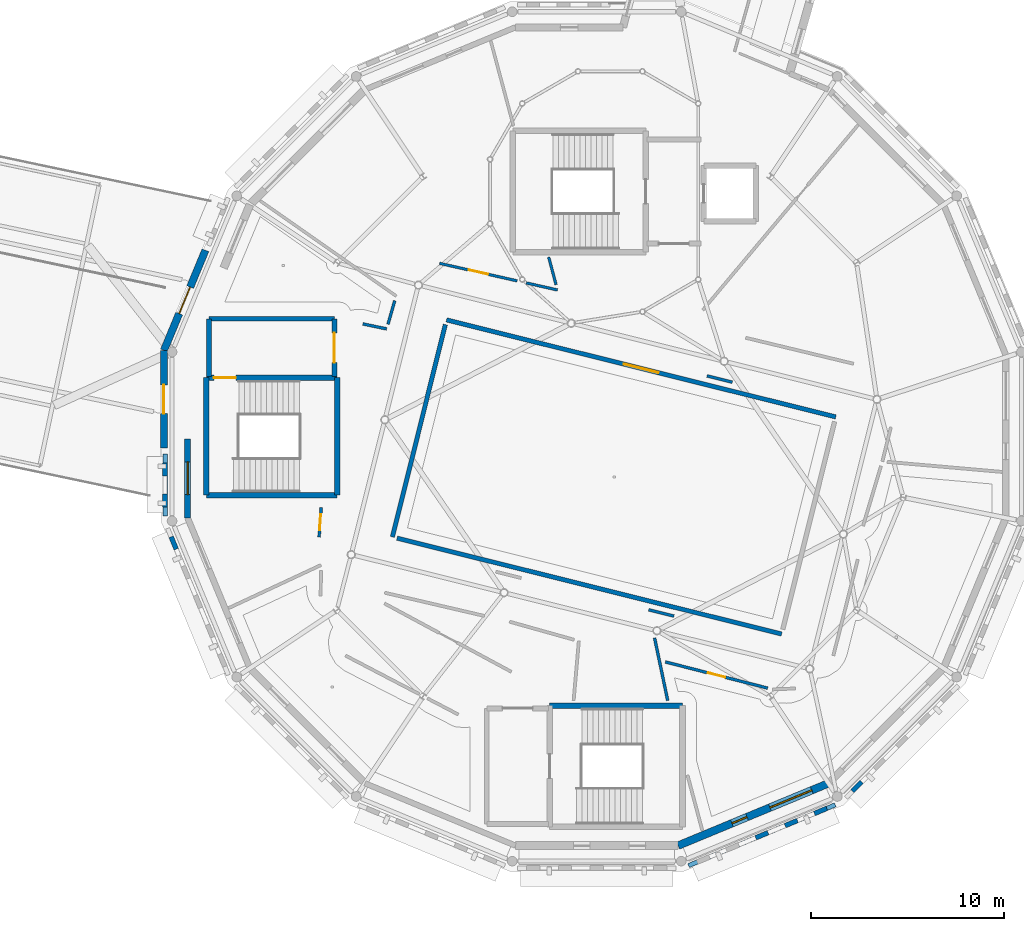
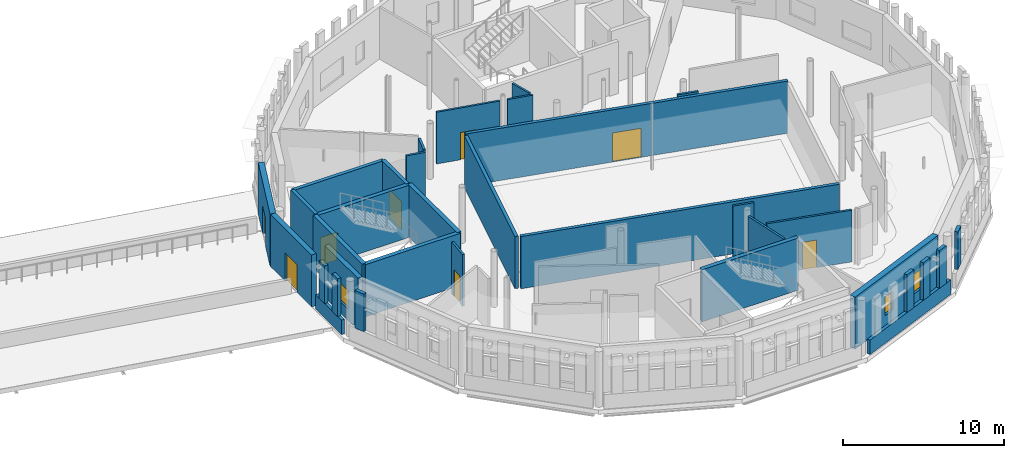
# One storey, part 64 of 90: 34 walls, 8 doors, 3 windows, 11 openings.
"""IFC4 building model written with IfcOpenShell, lengths in metres."""

import ifcopenshell
import ifcopenshell.guid

model = None  # the IFC model being written
_history = None  # IfcOwnerHistory: only IFC2X3 demands one
_inside = {}  # id of a spatial element -> (the spatial element, [elements in it])
_under = {}  # id of a project, library or spatial element -> (it, [spatial elements below it])
_declared = {}  # id of a project -> (the project, [libraries it declares])
_typed = {}  # id of a type object -> (the type object, [elements of that type])
_made_of = {}  # id of a material, layer set ... -> (it, [elements and type objects made of it])


def new_model(schema):
    """Start an empty IFC model of exactly this schema.

    Asked for "IFC4X3", IfcOpenShell would pick the latest addendum, in which some entities
    have other attributes; the version numbers below select the first issue.
    IFC2X3 requires an IfcOwnerHistory on every rooted entity: one is made here for all.
    """
    global model, _history
    if schema == "IFC4X3":
        model = ifcopenshell.file(schema_version=(4, 3, 0, 0))
    else:
        model = ifcopenshell.file(schema=schema)
    _inside.clear()
    _under.clear()
    _declared.clear()
    _typed.clear()
    _made_of.clear()
    _history = None
    if model.schema == "IFC2X3":
        org = make("IfcOrganization", Name="unknown")
        user = make(
            "IfcPersonAndOrganization",
            ThePerson=make("IfcPerson", FamilyName="unknown"),
            TheOrganization=org,
        )
        app = make(
            "IfcApplication",
            ApplicationDeveloper=org,
            Version="unknown",
            ApplicationFullName="unknown",
            ApplicationIdentifier="unknown",
        )
        _history = make(
            "IfcOwnerHistory",
            OwningUser=user,
            OwningApplication=app,
            ChangeAction="ADDED",
            CreationDate=0,
        )
    return model


def make(cls, **values):
    """One entity of the class cls with the attributes given. An attribute that is None is left unset."""
    return model.create_entity(
        cls, **{name: value for name, value in values.items() if value is not None}
    )


def rooted(cls, **values):
    """An entity with a GlobalId (a new one), such as an element, a storey or a relation."""
    return make(cls, GlobalId=ifcopenshell.guid.new(), OwnerHistory=_history, **values)


def si_unit(unit_type, name, prefix=None):
    """IfcSIUnit, for example si_unit("LENGTHUNIT", "METRE", prefix="MILLI")."""
    return make("IfcSIUnit", UnitType=unit_type, Prefix=prefix, Name=name)


def assignment(units):
    """IfcUnitAssignment: the units of a project."""
    return None if units is None else make("IfcUnitAssignment", Units=units)


def point(xyz):
    """IfcCartesianPoint."""
    return None if xyz is None else make("IfcCartesianPoint", Coordinates=xyz)


def direction(xyz):
    """IfcDirection."""
    return None if xyz is None else make("IfcDirection", DirectionRatios=xyz)


def frame(location, z_axis=None, x_axis=None):
    """IfcAxis2Placement3D, a coordinate frame: its origin and axes. An axis left out is left unset."""
    return make(
        "IfcAxis2Placement3D",
        Location=point(location),
        Axis=direction(z_axis),
        RefDirection=direction(x_axis),
    )


def frame_2d(location, x_axis=None):
    """IfcAxis2Placement2D, a coordinate frame in the plane: its origin and x axis."""
    return make(
        "IfcAxis2Placement2D", Location=point(location), RefDirection=direction(x_axis)
    )


def origin():
    """The frame at (0, 0, 0) with its axes left unset."""
    return frame((0.0, 0.0, 0.0))


def place(relative_to, where):
    """IfcLocalPlacement: puts the frame where relative to a parent placement (None: the world)."""
    return make(
        "IfcLocalPlacement", PlacementRelTo=relative_to, RelativePlacement=where
    )


def context(
    kind, dimensions, precision=None, world=None, true_north=None, identifier=None
):
    """IfcGeometricRepresentationContext, for example the 3D "Model" context."""
    return make(
        "IfcGeometricRepresentationContext",
        ContextIdentifier=identifier,
        ContextType=kind,
        CoordinateSpaceDimension=dimensions,
        Precision=precision,
        WorldCoordinateSystem=world,
        TrueNorth=true_north,
    )


def subcontext(parent, identifier, kind, view, scale=None):
    """IfcGeometricRepresentationSubContext, for example "Body" below "Model"."""
    return make(
        "IfcGeometricRepresentationSubContext",
        ContextIdentifier=identifier,
        ContextType=kind,
        ParentContext=parent,
        TargetScale=scale,
        TargetView=view,
    )


def project(units=None, contexts=None):
    """IfcProject with its units and contexts."""
    return rooted(
        "IfcProject",
        Name="project",
        RepresentationContexts=contexts,
        UnitsInContext=assignment(units),
    )


def spatial(cls, under=None, at=None, **own):
    """A site, building, storey or space (cls), placed at a placement, below another one or the project."""
    s = rooted(cls, ObjectPlacement=at, **own)
    if under is not None:
        _under.setdefault(under.id(), (under, []))[1].append(s)
    return s


def profile(cls, at=None, kind="AREA", **sizes):
    """A parametric profile (cls). Its sizes go by their IFC names, for example OverallWidth=200.0."""
    return make(cls, ProfileType=kind, Position=at, **sizes)


def rectangle(**sizes):
    """IfcRectangleProfileDef."""
    return profile("IfcRectangleProfileDef", **sizes)


def extrude(swept, where, along, depth):
    """IfcExtrudedAreaSolid: the profile swept, set in the frame where, extruded along a direction by depth."""
    return make(
        "IfcExtrudedAreaSolid",
        SweptArea=swept,
        Position=where,
        ExtrudedDirection=direction(along),
        Depth=depth,
    )


def shape(context_of_items, identifier, shape_type, items):
    """IfcShapeRepresentation: the items that make up one representation, for example the "Body"."""
    return make(
        "IfcShapeRepresentation",
        ContextOfItems=context_of_items,
        RepresentationIdentifier=identifier,
        RepresentationType=shape_type,
        Items=items,
    )


def material(Name=None, Category=None):
    """IfcMaterial."""
    return make("IfcMaterial", Name=Name, Category=Category)


def layer(
    of_material, thickness, ventilated=None, Name=None, Category=None, Priority=None
):
    """IfcMaterialLayer: one layer of a wall or slab, of a material (None: an air gap)."""
    return make(
        "IfcMaterialLayer",
        Material=of_material,
        LayerThickness=thickness,
        IsVentilated=ventilated,
        Name=Name,
        Category=Category,
        Priority=Priority,
    )


def layer_set(layers, Name=None):
    """IfcMaterialLayerSet."""
    return make("IfcMaterialLayerSet", MaterialLayers=layers, LayerSetName=Name)


def made_of(thing, what):
    """Note that an element or type object is made of a material, layer set ...; save() writes the relation."""
    if what is not None:
        _made_of.setdefault(what.id(), (what, []))[1].append(thing)
    return thing


def type_object(cls, material=None, **own):
    """A type object (cls), such as IfcWallType, which elements share."""
    return made_of(rooted(cls, **own), material)


def element(
    cls,
    number,
    at=None,
    inside=None,
    cuts=None,
    type_object=None,
    material=None,
    context=None,
    identifier="Body",
    shape_type=None,
    held_by="IfcProductDefinitionShape",
    body=None,
    shapes=None,
    **own,
):
    """One element of the class cls, such as IfcWall. Its Tag is "e" and its number.

    at: its placement. inside: the storey or other place that contains it. cuts: it is an
    opening in that element (IfcRelVoidsElement). A single representation is given by context,
    identifier, shape_type and body (its items); several are given by shapes. held_by: the class
    of the entity that holds the representations. save() writes the other relations.
    """
    e = rooted(cls, Tag="e%d" % number, ObjectPlacement=at, **own)
    if body is not None:
        shapes = [shape(context, identifier, shape_type, body)]
    if shapes is not None:
        e.Representation = make(held_by, Representations=shapes)
    if inside is not None:
        _inside.setdefault(inside.id(), (inside, []))[1].append(e)
    if cuts is not None:
        rooted(
            "IfcRelVoidsElement", RelatingBuildingElement=cuts, RelatedOpeningElement=e
        )
    if type_object is not None:
        _typed.setdefault(type_object.id(), (type_object, []))[1].append(e)
    return made_of(e, material)


def fill(opening, filler):
    """IfcRelFillsElement: the door or window that sits in an opening."""
    return rooted(
        "IfcRelFillsElement",
        RelatingOpeningElement=opening,
        RelatedBuildingElement=filler,
    )


def aggregate(whole, parts):
    """IfcRelAggregates: a whole, such as a stair, and the parts it consists of."""
    return rooted("IfcRelAggregates", RelatingObject=whole, RelatedObjects=parts)


def save(model, path):
    """Write the relations noted so far, then the file.

    IfcRelAggregates (storeys below a building ...), IfcRelContainedInSpatialStructure (elements
    in a storey), IfcRelDefinesByType, IfcRelAssociatesMaterial and IfcRelDeclares: one each for
    every whole, place, type object, material and project.
    """
    for whole, parts in _under.values():
        aggregate(whole, parts)
    for where, things in _inside.values():
        rooted(
            "IfcRelContainedInSpatialStructure",
            RelatedElements=things,
            RelatingStructure=where,
        )
    for kind, things in _typed.values():
        rooted("IfcRelDefinesByType", RelatedObjects=things, RelatingType=kind)
    for what, things in _made_of.values():
        rooted("IfcRelAssociatesMaterial", RelatedObjects=things, RelatingMaterial=what)
    for by, libraries in _declared.values():
        rooted("IfcRelDeclares", RelatingContext=by, RelatedDefinitions=libraries)
    model.write(path)


model = new_model("IFC4")

# Units and contexts
model_context = context("Model", 3, precision=1e-05, world=origin(), true_north=direction((0.0, 1.0)))
body_context = subcontext(model_context, "Body", "Model", "MODEL_VIEW")
ifc_project = project(units=[si_unit("LENGTHUNIT", "METRE"), si_unit("AREAUNIT", "SQUARE_METRE"), si_unit("VOLUMEUNIT", "CUBIC_METRE"), si_unit("PLANEANGLEUNIT", "RADIAN"), si_unit("MASSUNIT", "GRAM", prefix="KILO")], contexts=[model_context])

# Site, building, storey
site_placement = place(None, origin())
site = spatial("IfcSite", under=ifc_project, at=site_placement, CompositionType="ELEMENT")
building_placement = place(site_placement, origin())
building = spatial("IfcBuilding", under=site, at=building_placement, Name="Wrenclough Park School", CompositionType="ELEMENT")
storey_placement = place(building_placement, frame((0.0, 0.0, 8.39990234375)))
storey = spatial("IfcBuildingStorey", under=building, at=storey_placement, Name="L02", CompositionType="ELEMENT", Elevation=8.39990234375)

# Walls
ifc_material_1 = material(Name="Perforated open-bond Staffordshire and Manchester brick screen pier", Category="masonry")
ifc_layer_1 = layer(ifc_material_1, 0.2451171875)
ifc_layer_set_1 = layer_set([ifc_layer_1], Name="Perforated open-bond Staffordshire and Manchester brick screen pier")
wall_type_1 = type_object("IfcWallType", Name="ENV-BS-PR245", PredefinedType="ELEMENTEDWALL", material=ifc_layer_set_1)
wall_1_placement = place(storey_placement, frame((133.121826171875, 25.135986328125, 1.090087890625), z_axis=(0.0, 0.0, 1.0), x_axis=(0.0, -1.0, 0.0)))
element("IfcWall", 1, at=wall_1_placement, inside=storey, type_object=wall_type_1, Name="D1 L02 perforated brick screen pier 0412", PredefinedType="ELEMENTEDWALL", context=body_context, shape_type="SweptSolid", body=[
    extrude(rectangle(XDim=0.67578125, YDim=0.2451171875, at=frame_2d((0.337890625, 0.0))), origin(), (0.0, 0.0, 1.0), 2.85009765625),
])
wall_2_placement = place(storey_placement, frame((133.121826171875, 23.52734375, 1.090087890625), z_axis=(0.0, 0.0, 1.0), x_axis=(0.0, -1.0, 0.0)))
element("IfcWall", 2, at=wall_2_placement, inside=storey, type_object=wall_type_1, Name="D1 L02 perforated brick screen pier 0413", PredefinedType="ELEMENTEDWALL", context=body_context, shape_type="SweptSolid", body=[
    extrude(rectangle(XDim=0.676025390625, YDim=0.2451171875, at=frame_2d((0.337890625, 0.0))), origin(), (0.0, 0.0, 1.0), 2.85009765625),
])
wall_3_placement = place(storey_placement, frame((133.433349609375, 21.296630859375, 1.090087890625), z_axis=(0.0, 0.0, 1.0), x_axis=(0.382934147939, -0.92377564286, 0.0)))
element("IfcWall", 3, at=wall_3_placement, inside=storey, type_object=wall_type_1, Name="D1 L02 perforated brick screen pier 0414", PredefinedType="ELEMENTEDWALL", context=body_context, shape_type="SweptSolid", body=[
    extrude(rectangle(XDim=0.691162109375, YDim=0.2451171875, at=frame_2d((0.345703125, 0.0))), origin(), (0.0, 0.0, 1.0), 2.85009765625),
])
for number, where, z_axis, x_axis, name in (
    (4, (163.74462890625, 5.693115234375, 1.090087890625), (0.0, 0.0, 1.0), (0.923900574703, 0.38263262807, 0.0), "D1 L02 perforated brick screen pier 0436"),
    (5, (165.265380859375, 6.322998046875, 1.090087890625), (0.0, 0.0, 1.0), (0.923900574703, 0.38263262807, 0.0), "D1 L02 perforated brick screen pier 0437"),
    (6, (166.785888671875, 6.952880859375, 1.090087890625), (0.0, 0.0, 1.0), (0.923900574703, 0.38263262807, 0.0), "D1 L02 perforated brick screen pier 0438"),
):
    element("IfcWall", number, at=place(storey_placement, frame(where, z_axis=z_axis, x_axis=x_axis)), inside=storey, type_object=wall_type_1, Name=name, PredefinedType="ELEMENTEDWALL", context=body_context, shape_type="SweptSolid", body=[
        extrude(rectangle(XDim=0.69091796875, YDim=0.2451171875, at=frame_2d((0.345458984375, 0.0))), origin(), (0.0, 0.0, 1.0), 2.85009765625),
    ])
wall_4_placement = place(storey_placement, frame((168.751708984375, 8.104248046875, 1.090087890625), z_axis=(0.0, 0.0, 1.0), x_axis=(0.706930114916, 0.707283403329, 0.0)))
element("IfcWall", 7, at=wall_4_placement, inside=storey, type_object=wall_type_1, Name="D1 L02 perforated brick screen pier 0439", PredefinedType="ELEMENTEDWALL", context=body_context, shape_type="SweptSolid", body=[
    extrude(rectangle(XDim=0.691162109375, YDim=0.2451171875, at=frame_2d((0.345703125, 0.0))), origin(), (0.0, 0.0, 1.0), 2.85009765625),
])
ifc_material_2 = material(Name="Open-bond Manchester multi-stock brick spandrel screen", Category="masonry")
ifc_layer_2 = layer(ifc_material_2, 0.22509765625)
ifc_layer_set_2 = layer_set([ifc_layer_2], Name="Open-bond Manchester multi-stock brick spandrel screen")
wall_type_2 = type_object("IfcWallType", Name="ENV-BS-SP225", PredefinedType="ELEMENTEDWALL", material=ifc_layer_set_2)
wall_5_placement = place(storey_placement, frame((133.121826171875, 25.6025390625, 0.0), z_axis=(0.0, 0.0, 1.0), x_axis=(0.0, -1.0, 0.0)))
element("IfcWall", 8, at=wall_5_placement, inside=storey, type_object=wall_type_2, Name="D1 L02 open-bond brick screen spandrel 0115", PredefinedType="ELEMENTEDWALL", context=body_context, shape_type="SweptSolid", body=[
    extrude(rectangle(XDim=3.217529296875, YDim=0.22509765625, at=frame_2d((1.60888671875, 0.0))), origin(), (0.0, 0.0, 1.0), 1.090087890625),
])
wall_6_placement = place(storey_placement, frame((160.26220703125, 4.250732421875, 0.0), z_axis=(0.0, 0.0, 1.0), x_axis=(0.923877990426, 0.382687155267, 0.0)))
element("IfcWall", 9, at=wall_6_placement, inside=storey, type_object=wall_type_2, Name="D1 L02 open-bond brick screen spandrel 0120", PredefinedType="ELEMENTEDWALL", context=body_context, shape_type="SweptSolid", body=[
    extrude(rectangle(XDim=8.229736328125, YDim=0.22509765625, at=frame_2d((4.11474609375, 0.0))), origin(), (0.0, 0.0, 1.0), 1.090087890625),
])

# Wall, opening, window
ifc_material_3 = material(Name="Manchester multi-stock brick and Concrete C32/40 inner leaf", Category="masonry")
ifc_layer_3 = layer(ifc_material_3, 0.324951171875)
ifc_layer_set_3 = layer_set([ifc_layer_3], Name="Manchester multi-stock brick and Concrete C32/40 inner leaf")
wall_type_3 = type_object("IfcWallType", Name="ENV-EW-325", PredefinedType="SOLIDWALL", material=ifc_layer_set_3)
wall_7_placement = place(storey_placement, frame((134.287841796875, 22.28076171875, 0.0), z_axis=(0.0, 0.0, 1.0), x_axis=(0.0, 1.0, 0.0)))
wall_7 = element("IfcWall", 10, at=wall_7_placement, inside=storey, type_object=wall_type_3, Name="L02 insulated brick external wall 0209", PredefinedType="SOLIDWALL", context=body_context, shape_type="SweptSolid", body=[
    extrude(rectangle(XDim=4.098388671875, YDim=0.324951171875, at=frame_2d((2.04931640625, 0.0))), origin(), (0.0, 0.0, 1.0), 3.940185546875),
])
opening_1_placement = place(wall_7_placement, frame((1.19921875, 0.0, 0.85009765625)))
opening_1 = element("IfcOpeningElement", 11, at=opening_1_placement, cuts=wall_7, Name="Opening WN-07", PredefinedType="OPENING", context=body_context, shape_type="SweptSolid", body=[
    extrude(rectangle(XDim=1.699951171875, YDim=1.39990234375, at=frame_2d((0.85009765625, 0.699951171875))), frame((0.0, 0.17236328125, 0.0), z_axis=(0.0, -1.0, 0.0), x_axis=(1.0, 0.0, 0.0)), (0.0, 0.0, 1.0), 0.344970703125),
])
ifc_material_4 = material(Name="Thermally broken aluminium and double-glazed low-e glass", Category="aluminium")
window_type_1 = type_object("IfcWindowType", Name="ENV-WN-07", PartitioningType="DOUBLE_PANEL_VERTICAL", PredefinedType="WINDOW", material=ifc_material_4)
window_1_placement = place(opening_1_placement, origin())
window_1 = element("IfcWindow", 12, at=window_1_placement, inside=storey, type_object=window_type_1, Name="L02 scheduled facade window 0342", OverallHeight=1.39990234375, OverallWidth=1.699951171875, PartitioningType="SINGLE_PANEL", PredefinedType="WINDOW", context=body_context, shape_type="SweptSolid", body=[
    extrude(rectangle(XDim=1.699951171875, YDim=1.39990234375, at=frame_2d((0.85009765625, 0.699951171875))), frame((0.0, 0.030029296875, 0.0), z_axis=(0.0, -1.0, 0.0), x_axis=(1.0, 0.0, 0.0)), (0.0, 0.0, 1.0), 0.06005859375),
])
fill(opening_1, window_1)

# Wall, opening, door
ifc_material_5 = material(Name="Staffordshire blue-grey brick and Concrete C35/45 inner leaf", Category="masonry")
ifc_layer_4 = layer(ifc_material_5, 0.35009765625)
ifc_layer_set_4 = layer_set([ifc_layer_4], Name="Staffordshire blue-grey brick and Concrete C35/45 inner leaf")
wall_type_4 = type_object("IfcWallType", Name="ENV-EW-350", PredefinedType="SOLIDWALL", material=ifc_layer_set_4)
wall_8_placement = place(storey_placement, frame((133.06201171875, 25.8955078125, 0.0), z_axis=(0.0, 0.0, 1.0), x_axis=(0.0, 1.0, 0.0)))
wall_8 = element("IfcWall", 13, at=wall_8_placement, inside=storey, type_object=wall_type_4, Name="L02 insulated brick external wall 0210", PredefinedType="SOLIDWALL", context=body_context, shape_type="SweptSolid", body=[
    extrude(rectangle(XDim=5.067626953125, YDim=0.35009765625, at=frame_2d((2.53369140625, 0.0))), origin(), (0.0, 0.0, 1.0), 3.940185546875),
])
opening_2_placement = place(wall_8_placement, frame((1.7939453125, 0.0, 0.0)))
opening_2 = element("IfcOpeningElement", 14, at=opening_2_placement, cuts=wall_8, Name="Opening DPD-PD-1-1", PredefinedType="OPENING", context=body_context, shape_type="SweptSolid", body=[
    extrude(rectangle(XDim=1.47998046875, YDim=2.1201171875, at=frame_2d((0.739990234375, 1.06005859375))), frame((0.0, 0.18505859375, 0.0), z_axis=(0.0, -1.0, 0.0), x_axis=(1.0, 0.0, 0.0)), (0.0, 0.0, 1.0), 0.3701171875),
])
ifc_material_6 = material(Name="Thermally broken powder-coated aluminium and laminated safety glass", Category="aluminium")
door_type_1 = type_object("IfcDoorType", Name="DR-PD148", OperationType="NOTDEFINED", PredefinedType="DOOR", material=ifc_material_6)
door_1_placement = place(opening_2_placement, origin())
door_1 = element("IfcDoor", 15, at=door_1_placement, inside=storey, type_object=door_type_1, Name="Play deck PD-1 access door 1", OperationType="DOUBLE_DOOR_SINGLE_SWING", OverallHeight=2.1201171875, OverallWidth=1.47998046875, PredefinedType="DOOR", context=body_context, shape_type="SweptSolid", body=[
    extrude(rectangle(XDim=1.47998046875, YDim=2.1201171875, at=frame_2d((0.739990234375, 1.06005859375))), frame((0.0, 0.02490234375, 0.0), z_axis=(0.0, -1.0, 0.0), x_axis=(1.0, 0.0, 0.0)), (0.0, 0.0, 1.0), 0.050048828125),
])
fill(opening_2, door_1)

ifc_material_7 = material(Name="Manchester multi-stock brick and Concrete C35/45 inner leaf", Category="masonry")
ifc_layer_5 = layer(ifc_material_7, 0.3798828125)
ifc_layer_set_5 = layer_set([ifc_layer_5], Name="Manchester multi-stock brick and Concrete C35/45 inner leaf")
wall_type_5 = type_object("IfcWallType", Name="ENV-EW-380", PredefinedType="SOLIDWALL", material=ifc_layer_set_5)
wall_9_placement = place(storey_placement, frame((133.06201171875, 30.963134765625, 0.0), z_axis=(0.0, 0.0, 1.0), x_axis=(0.382652384315, 0.923892392424, 0.0)))
wall_9 = element("IfcWall", 16, at=wall_9_placement, inside=storey, type_object=wall_type_5, Name="L02 insulated brick external wall 0211", PredefinedType="SOLIDWALL", context=body_context, shape_type="SweptSolid", body=[
    extrude(rectangle(XDim=5.619140625, YDim=0.3798828125, at=frame_2d((2.8095703125, 0.0))), origin(), (0.0, 0.0, 1.0), 3.940185546875),
])
opening_3_placement = place(wall_9_placement, frame((2.069580078125, 0.0, 0.0)))
opening_3 = element("IfcOpeningElement", 17, at=opening_3_placement, cuts=wall_9, Name="Opening DPD-PD-1-2", PredefinedType="OPENING", context=body_context, shape_type="SweptSolid", body=[
    extrude(rectangle(XDim=1.47998046875, YDim=2.1201171875, at=frame_2d((0.739990234375, 1.06005859375))), frame((0.0, 0.199951171875, 0.0), z_axis=(0.0, -1.0, 0.0), x_axis=(1.0, 0.0, 0.0)), (0.0, 0.0, 1.0), 0.39990234375),
])
door_2_placement = place(opening_3_placement, origin())
door_2 = element("IfcDoor", 18, at=door_2_placement, inside=storey, type_object=door_type_1, Name="Play deck PD-1 access door 2", OperationType="DOUBLE_DOOR_SINGLE_SWING", OverallHeight=2.1201171875, OverallWidth=1.47998046875, PredefinedType="DOOR", context=body_context, shape_type="SweptSolid", body=[
    extrude(rectangle(XDim=1.47998046875, YDim=2.1201171875, at=frame_2d((0.739990234375, 1.06005859375))), frame((0.0, 0.02490234375, 0.0), z_axis=(0.0, -1.0, 0.0), x_axis=(1.0, 0.0, 0.0)), (0.0, 0.0, 1.0), 0.050048828125),
])
fill(opening_3, door_2)

# Wall, openings, windows
ifc_material_8 = material(Name="Staffordshire blue-grey brick and Concrete C40/50 acoustic leaf", Category="masonry")
ifc_layer_6 = layer(ifc_material_8, 0.39990234375)
ifc_layer_set_6 = layer_set([ifc_layer_6], Name="Staffordshire blue-grey brick and Concrete C40/50 acoustic leaf")
wall_type_6 = type_object("IfcWallType", Name="ENV-EW-400", PredefinedType="SOLIDWALL", material=ifc_layer_set_6)
wall_10_placement = place(storey_placement, frame((167.515625, 8.51708984375, 0.0), z_axis=(0.0, 0.0, 1.0), x_axis=(-0.923884604839, -0.382671186453, 0.0)))
wall_10 = element("IfcWall", 19, at=wall_10_placement, inside=storey, type_object=wall_type_6, Name="L02 insulated brick external wall 0204", PredefinedType="SOLIDWALL", context=body_context, shape_type="SweptSolid", body=[
    extrude(rectangle(XDim=8.438720703125, YDim=0.39990234375, at=frame_2d((4.21923828125, 0.0))), origin(), (0.0, 0.0, 1.0), 3.940185546875),
])
opening_4_placement = place(wall_10_placement, frame((0.934814453125, 0.0, 0.85009765625)))
opening_4 = element("IfcOpeningElement", 20, at=opening_4_placement, cuts=wall_10, Name="Opening WN-55", PredefinedType="OPENING", context=body_context, shape_type="SweptSolid", body=[
    extrude(rectangle(XDim=2.35009765625, YDim=1.5, at=frame_2d((1.175048828125, 0.75))), frame((0.0, 0.2099609375, 0.0), z_axis=(0.0, -1.0, 0.0), x_axis=(1.0, 0.0, 0.0)), (0.0, 0.0, 1.0), 0.419921875),
])
opening_5_placement = place(wall_10_placement, frame((4.5693359375, 0.0, 0.85009765625)))
opening_5 = element("IfcOpeningElement", 21, at=opening_5_placement, cuts=wall_10, Name="Opening WN-01", PredefinedType="OPENING", context=body_context, shape_type="SweptSolid", body=[
    extrude(rectangle(XDim=0.85009765625, YDim=1.39990234375, at=frame_2d((0.425048828125, 0.699951171875))), frame((0.0, 0.2099609375, 0.0), z_axis=(0.0, -1.0, 0.0), x_axis=(1.0, 0.0, 0.0)), (0.0, 0.0, 1.0), 0.419921875),
])
window_type_2 = type_object("IfcWindowType", Name="ENV-WN-01", PartitioningType="SINGLE_PANEL", PredefinedType="WINDOW", material=ifc_material_4)
window_2_placement = place(opening_5_placement, origin())
window_2 = element("IfcWindow", 22, at=window_2_placement, inside=storey, type_object=window_type_2, Name="L02 scheduled facade window 0335", OverallHeight=1.39990234375, OverallWidth=0.85009765625, PartitioningType="SINGLE_PANEL", PredefinedType="WINDOW", context=body_context, shape_type="SweptSolid", body=[
    extrude(rectangle(XDim=0.85009765625, YDim=1.39990234375, at=frame_2d((0.425048828125, 0.699951171875))), frame((0.0, 0.030029296875, 0.0), z_axis=(0.0, -1.0, 0.0), x_axis=(1.0, 0.0, 0.0)), (0.0, 0.0, 1.0), 0.06005859375),
])
fill(opening_5, window_2)
window_type_3 = type_object("IfcWindowType", Name="ENV-WN-55", PartitioningType="DOUBLE_PANEL_VERTICAL", PredefinedType="WINDOW", material=ifc_material_4)
window_3_placement = place(opening_4_placement, origin())
window_3 = element("IfcWindow", 23, at=window_3_placement, inside=storey, type_object=window_type_3, Name="L02 scheduled facade window 0334", OverallHeight=1.5, OverallWidth=2.35009765625, PartitioningType="SINGLE_PANEL", PredefinedType="WINDOW", context=body_context, shape_type="SweptSolid", body=[
    extrude(rectangle(XDim=2.35009765625, YDim=1.5, at=frame_2d((1.175048828125, 0.75))), frame((0.0, 0.030029296875, 0.0), z_axis=(0.0, -1.0, 0.0), x_axis=(1.0, 0.0, 0.0)), (0.0, 0.0, 1.0), 0.06005859375),
])
fill(opening_4, window_3)

# Wall, opening, door
ifc_material_9 = material(Name="Concrete C35/45", Category="concrete")
ifc_layer_7 = layer(ifc_material_9, 0.25)
ifc_layer_set_7 = layer_set([ifc_layer_7], Name="Concrete C35/45")
wall_type_7 = type_object("IfcWallType", Name="INT-CW-250", PredefinedType="SHEAR", material=ifc_layer_set_7)
wall_11_placement = place(storey_placement, frame((141.89990234375, 29.60009765625, 0.0), z_axis=(0.0, 0.0, 1.0), x_axis=(0.0, 1.0, 0.0)))
wall_11 = element("IfcWall", 24, at=wall_11_placement, inside=storey, type_object=wall_type_7, Name="Core C1C L02 lobby fire wall east", PredefinedType="SHEAR", context=body_context, shape_type="SweptSolid", body=[
    extrude(rectangle(XDim=3.0, YDim=0.25, at=frame_2d((1.5, 0.0))), origin(), (0.0, 0.0, 1.0), 3.9501953125),
])
opening_6_placement = place(wall_11_placement, frame((0.72509765625, 0.0, 0.0)))
opening_6 = element("IfcOpeningElement", 25, at=opening_6_placement, cuts=wall_11, Name="Opening DLB-C1C-L02", PredefinedType="OPENING", context=body_context, shape_type="SweptSolid", body=[
    extrude(rectangle(XDim=1.550048828125, YDim=2.14990234375, at=frame_2d((0.77490234375, 1.074951171875))), frame((0.0, 0.135009765625, 0.0), z_axis=(0.0, -1.0, 0.0), x_axis=(1.0, 0.0, 0.0)), (0.0, 0.0, 1.0), 0.27001953125),
])
ifc_material_10 = material(Name="Protected stair lobby double fire door assembly", Category="wood")
door_type_2 = type_object("IfcDoorType", Name="INT-DR-LB155", OperationType="NOTDEFINED", PredefinedType="DOOR", material=ifc_material_10)
door_3_placement = place(opening_6_placement, origin())
door_3 = element("IfcDoor", 26, at=door_3_placement, inside=storey, type_object=door_type_2, Name="Core C1C L02 protected lobby fire door", OperationType="DOUBLE_DOOR_SINGLE_SWING", OverallHeight=2.14990234375, OverallWidth=1.550048828125, PredefinedType="DOOR", context=body_context, shape_type="SweptSolid", body=[
    extrude(rectangle(XDim=1.550048828125, YDim=2.14990234375, at=frame_2d((0.77490234375, 1.074951171875))), frame((0.0, 0.02490234375, 0.0), z_axis=(0.0, -1.0, 0.0), x_axis=(1.0, 0.0, 0.0)), (0.0, 0.0, 1.0), 0.050048828125),
])
fill(opening_6, door_3)

# Walls
wall_12_placement = place(storey_placement, frame((141.89990234375, 32.60009765625, 0.0), z_axis=(0.0, 0.0, 1.0), x_axis=(-1.0, 0.0, 0.0)))
element("IfcWall", 27, at=wall_12_placement, inside=storey, type_object=wall_type_7, Name="Core C1C L02 lobby fire wall north", PredefinedType="SHEAR", context=body_context, shape_type="SweptSolid", body=[
    extrude(rectangle(XDim=6.5, YDim=0.25, at=frame_2d((3.25, 0.0))), origin(), (0.0, 0.0, 1.0), 3.9501953125),
])
wall_13_placement = place(storey_placement, frame((135.39990234375, 32.60009765625, 0.0), z_axis=(0.0, 0.0, 1.0), x_axis=(0.0, -1.0, 0.0)))
element("IfcWall", 28, at=wall_13_placement, inside=storey, type_object=wall_type_7, Name="Core C1C L02 lobby fire wall west", PredefinedType="SHEAR", context=body_context, shape_type="SweptSolid", body=[
    extrude(rectangle(XDim=3.0, YDim=0.25, at=frame_2d((1.5, 0.0))), origin(), (0.0, 0.0, 1.0), 3.9501953125),
])
ifc_material_11 = material(Name="Concrete C40/50", Category="concrete")
ifc_layer_8 = layer(ifc_material_11, 0.2900390625)
ifc_layer_set_8 = layer_set([ifc_layer_8], Name="Concrete C40/50")
wall_type_8 = type_object("IfcWallType", Name="INT-CW-290", PredefinedType="SHEAR", material=ifc_layer_set_8)
wall_14_placement = place(storey_placement, frame((159.945068359375, 12.544921875, 0.0), z_axis=(0.0, 0.0, 1.0), x_axis=(-1.0, 0.0, 0.0)))
element("IfcWall", 29, at=wall_14_placement, inside=storey, type_object=wall_type_8, Name="Core C1B L02 north shear wall", PredefinedType="SHEAR", context=body_context, shape_type="SweptSolid", body=[
    extrude(rectangle(XDim=6.89013671875, YDim=0.2900390625, at=frame_2d((3.445068359375, 0.0))), origin(), (0.0, 0.0, 1.0), 3.9501953125),
])
wall_15_placement = place(storey_placement, frame((135.2548828125, 23.455078125, 0.0), z_axis=(0.0, 0.0, 1.0), x_axis=(1.0, 0.0, 0.0)))
element("IfcWall", 30, at=wall_15_placement, inside=storey, type_object=wall_type_8, Name="Core C1C L02 south shear wall", PredefinedType="SHEAR", context=body_context, shape_type="SweptSolid", body=[
    extrude(rectangle(XDim=6.7900390625, YDim=0.2900390625, at=frame_2d((3.39501953125, 0.0))), origin(), (0.0, 0.0, 1.0), 3.9501953125),
])
wall_16_placement = place(storey_placement, frame((142.044921875, 23.455078125, 0.0), z_axis=(0.0, 0.0, 1.0), x_axis=(0.0, 1.0, 0.0)))
element("IfcWall", 31, at=wall_16_placement, inside=storey, type_object=wall_type_8, Name="Core C1C L02 east shear wall", PredefinedType="SHEAR", context=body_context, shape_type="SweptSolid", body=[
    extrude(rectangle(XDim=6.08984375, YDim=0.2900390625, at=frame_2d((3.044921875, 0.0))), origin(), (0.0, 0.0, 1.0), 3.9501953125),
])

# Wall, opening, door
wall_17_placement = place(storey_placement, frame((142.044921875, 29.544921875, 0.0), z_axis=(0.0, 0.0, 1.0), x_axis=(-1.0, 0.0, 0.0)))
wall_17 = element("IfcWall", 32, at=wall_17_placement, inside=storey, type_object=wall_type_8, Name="Core C1C L02 north shear wall", PredefinedType="SHEAR", context=body_context, shape_type="SweptSolid", body=[
    extrude(rectangle(XDim=6.7900390625, YDim=0.2900390625, at=frame_2d((3.39501953125, 0.0))), origin(), (0.0, 0.0, 1.0), 3.9501953125),
])
opening_7_placement = place(wall_17_placement, frame((5.25, 0.0, 0.0)))
opening_7 = element("IfcOpeningElement", 33, at=opening_7_placement, cuts=wall_17, Name="Opening DST-C1C-L02", PredefinedType="OPENING", context=body_context, shape_type="SweptSolid", body=[
    extrude(rectangle(XDim=1.14990234375, YDim=2.10009765625, at=frame_2d((0.574951171875, 1.050048828125))), frame((0.0, 0.155029296875, 0.0), z_axis=(0.0, -1.0, 0.0), x_axis=(1.0, 0.0, 0.0)), (0.0, 0.0, 1.0), 0.31005859375),
])
ifc_material_12 = material(Name="Protected escape stair single fire door assembly", Category="wood")
door_type_3 = type_object("IfcDoorType", Name="INT-DR-ST115", OperationType="NOTDEFINED", PredefinedType="DOOR", material=ifc_material_12)
door_4_placement = place(opening_7_placement, origin())
door_4 = element("IfcDoor", 34, at=door_4_placement, inside=storey, type_object=door_type_3, Name="Stair ST-12 L02 fire door", OperationType="SINGLE_SWING_LEFT", OverallHeight=2.10009765625, OverallWidth=1.14990234375, PredefinedType="DOOR", context=body_context, shape_type="SweptSolid", body=[
    extrude(rectangle(XDim=1.14990234375, YDim=2.10009765625, at=frame_2d((0.574951171875, 1.050048828125))), frame((0.0, 0.02490234375, 0.0), z_axis=(0.0, -1.0, 0.0), x_axis=(1.0, 0.0, 0.0)), (0.0, 0.0, 1.0), 0.050048828125),
])
fill(opening_7, door_4)

# Walls
wall_18_placement = place(storey_placement, frame((135.2548828125, 29.544921875, 0.0), z_axis=(0.0, 0.0, 1.0), x_axis=(0.0, -1.0, 0.0)))
element("IfcWall", 35, at=wall_18_placement, inside=storey, type_object=wall_type_8, Name="Core C1C L02 west shear wall", PredefinedType="SHEAR", context=body_context, shape_type="SweptSolid", body=[
    extrude(rectangle(XDim=6.08984375, YDim=0.2900390625, at=frame_2d((3.044921875, 0.0))), origin(), (0.0, 0.0, 1.0), 3.9501953125),
])
ifc_material_13 = material(Name="Protected corridor partition", Category="gypsum")
ifc_layer_9 = layer(ifc_material_13, 0.14990234375)
ifc_layer_set_9 = layer_set([ifc_layer_9], Name="Protected corridor partition")
wall_type_9 = type_object("IfcWallType", Name="INT-PW-150", PredefinedType="PARTITIONING", material=ifc_layer_set_9)
wall_19_placement = place(storey_placement, frame((161.21875, 29.639892578125, 0.0), z_axis=(0.0, 0.0, 1.0), x_axis=(0.970301811202, -0.241897488986, 0.0)))
element("IfcWall", 36, at=wall_19_placement, inside=storey, type_object=wall_type_9, Name="L02 internal partition 0319", PredefinedType="PARTITIONING", context=body_context, shape_type="SweptSolid", body=[
    extrude(rectangle(XDim=1.350341796875, YDim=0.14990234375, at=frame_2d((0.67529296875, 0.0))), origin(), (0.0, 0.0, 1.0), 3.9150390625),
])
wall_20_placement = place(storey_placement, frame((158.499267578125, 16.055908203125, 0.0), z_axis=(0.0, 0.0, 1.0), x_axis=(0.205069487246, -0.978747416549, 0.0)))
element("IfcWall", 37, at=wall_20_placement, inside=storey, type_object=wall_type_9, Name="L02 internal partition 0321", PredefinedType="PARTITIONING", context=body_context, shape_type="SweptSolid", body=[
    extrude(rectangle(XDim=3.321533203125, YDim=0.14990234375, at=frame_2d((1.66064453125, 0.0))), origin(), (0.0, 0.0, 1.0), 3.9150390625),
])

# Wall, opening, door
wall_21_placement = place(storey_placement, frame((164.36572265625, 13.45068359375, 0.0), z_axis=(0.0, 0.0, 1.0), x_axis=(-0.968689419985, 0.248275668579, 0.0)))
wall_21 = element("IfcWall", 38, at=wall_21_placement, inside=storey, type_object=wall_type_9, Name="L02 internal partition 0326", PredefinedType="PARTITIONING", context=body_context, shape_type="SweptSolid", body=[
    extrude(rectangle(XDim=5.480224609375, YDim=0.14990234375, at=frame_2d((2.740234375, 0.0))), origin(), (0.0, 0.0, 1.0), 3.9150390625),
])
opening_8_placement = place(wall_21_placement, frame((2.280029296875, 0.0, 0.0)))
opening_8 = element("IfcOpeningElement", 39, at=opening_8_placement, cuts=wall_21, Name="Opening DR-L02-061", PredefinedType="OPENING", context=body_context, shape_type="SweptSolid", body=[
    extrude(rectangle(XDim=0.919921875, YDim=2.080078125, at=frame_2d((0.4599609375, 1.0400390625))), frame((0.0, 0.0849609375, 0.0), z_axis=(0.0, -1.0, 0.0), x_axis=(1.0, 0.0, 0.0)), (0.0, 0.0, 1.0), 0.169921875),
])
ifc_material_14 = material(Name="Acoustic classroom single leaf vision door assembly", Category="wood")
door_type_4 = type_object("IfcDoorType", Name="INT-DR-CL092", OperationType="NOTDEFINED", PredefinedType="DOOR", material=ifc_material_14)
door_5_placement = place(opening_8_placement, origin())
door_5 = element("IfcDoor", 40, at=door_5_placement, inside=storey, type_object=door_type_4, Name="Sports Seminar Classroom door DR-L02-061", OperationType="SINGLE_SWING_RIGHT", OverallHeight=2.080078125, OverallWidth=0.919921875, PredefinedType="DOOR", context=body_context, shape_type="SweptSolid", body=[
    extrude(rectangle(XDim=0.919921875, YDim=2.080078125, at=frame_2d((0.4599609375, 1.0400390625))), frame((0.0, 0.02490234375, 0.0), z_axis=(0.0, -1.0, 0.0), x_axis=(1.0, 0.0, 0.0)), (0.0, 0.0, 1.0), 0.050048828125),
])
fill(opening_8, door_5)

# Wall
wall_22_placement = place(storey_placement, frame((159.505126953125, 17.1845703125, 0.0), z_axis=(0.0, 0.0, 1.0), x_axis=(-0.970322957749, 0.241812649929, 0.0)))
element("IfcWall", 41, at=wall_22_placement, inside=storey, type_object=wall_type_9, Name="L02 internal partition 0327", PredefinedType="PARTITIONING", context=body_context, shape_type="SweptSolid", body=[
    extrude(rectangle(XDim=1.350830078125, YDim=0.14990234375, at=frame_2d((0.67529296875, 0.0))), origin(), (0.0, 0.0, 1.0), 3.9150390625),
])

# Wall, opening, door
wall_23_placement = place(storey_placement, frame((141.104248046875, 21.277587890625, 0.0), z_axis=(0.0, 0.0, 1.0), x_axis=(0.070730920157, 0.997495432037, 0.0)))
wall_23 = element("IfcWall", 42, at=wall_23_placement, inside=storey, type_object=wall_type_9, Name="L02 internal partition 0333", PredefinedType="PARTITIONING", context=body_context, shape_type="SweptSolid", body=[
    extrude(rectangle(XDim=1.54638671875, YDim=0.14990234375, at=frame_2d((0.773193359375, 0.0))), origin(), (0.0, 0.0, 1.0), 3.9150390625),
])
opening_9_placement = place(wall_23_placement, frame((0.353271484375, 0.0, 0.0)))
opening_9 = element("IfcOpeningElement", 43, at=opening_9_placement, cuts=wall_23, Name="Opening DR-L02-063", PredefinedType="OPENING", context=body_context, shape_type="SweptSolid", body=[
    extrude(rectangle(XDim=0.840087890625, YDim=2.0400390625, at=frame_2d((0.419921875, 1.02001953125))), frame((0.0, 0.0849609375, 0.0), z_axis=(0.0, -1.0, 0.0), x_axis=(1.0, 0.0, 0.0)), (0.0, 0.0, 1.0), 0.169921875),
])
ifc_material_15 = material(Name="Prep and store room fire door assembly", Category="wood")
door_type_5 = type_object("IfcDoorType", Name="INT-DR-STR084", OperationType="NOTDEFINED", PredefinedType="DOOR", material=ifc_material_15)
door_6_placement = place(opening_9_placement, origin())
door_6 = element("IfcDoor", 44, at=door_6_placement, inside=storey, type_object=door_type_5, Name="Sports Analysis Classroom door DR-L02-063", OperationType="SINGLE_SWING_RIGHT", OverallHeight=2.0400390625, OverallWidth=0.840087890625, PredefinedType="DOOR", context=body_context, shape_type="SweptSolid", body=[
    extrude(rectangle(XDim=0.840087890625, YDim=2.0400390625, at=frame_2d((0.419921875, 1.02001953125))), frame((0.0, 0.02490234375, 0.0), z_axis=(0.0, -1.0, 0.0), x_axis=(1.0, 0.0, 0.0)), (0.0, 0.0, 1.0), 0.050048828125),
])
fill(opening_9, door_6)

# Walls
wall_24_placement = place(storey_placement, frame((143.376220703125, 32.33447265625, 0.0), z_axis=(0.0, 0.0, 1.0), x_axis=(0.978708141887, -0.205256846424, 0.0)))
element("IfcWall", 45, at=wall_24_placement, inside=storey, type_object=wall_type_9, Name="L02 internal partition 0334", PredefinedType="PARTITIONING", context=body_context, shape_type="SweptSolid", body=[
    extrude(rectangle(XDim=1.25732421875, YDim=0.14990234375, at=frame_2d((0.628662109375, 0.0))), origin(), (0.0, 0.0, 1.0), 3.9150390625),
])
wall_25_placement = place(storey_placement, frame((144.67578125, 32.31640625, 0.0), z_axis=(0.0, 0.0, 1.0), x_axis=(0.275986551493, 0.961161497041, 0.0)))
element("IfcWall", 46, at=wall_25_placement, inside=storey, type_object=wall_type_9, Name="L02 internal partition 0335", PredefinedType="PARTITIONING", context=body_context, shape_type="SweptSolid", body=[
    extrude(rectangle(XDim=1.27392578125, YDim=0.14990234375, at=frame_2d((0.636962890625, 0.0))), origin(), (0.0, 0.0, 1.0), 3.9150390625),
])

# Wall, opening, door
ifc_material_16 = material(Name="Twin-frame acoustic gypsum board 60 dB Rw", Category="gypsum")
ifc_layer_10 = layer(ifc_material_16, 0.22509765625)
ifc_layer_set_10 = layer_set([ifc_layer_10], Name="Twin-frame acoustic gypsum board 60 dB Rw")
wall_type_10 = type_object("IfcWallType", Name="INT-PW-225", PredefinedType="PARTITIONING", material=ifc_layer_set_10)
wall_26_placement = place(storey_placement, frame((167.894287109375, 27.51171875, 0.0), z_axis=(0.0, 0.0, 1.0), x_axis=(-0.970295584886, 0.241922462682, 0.0)))
wall_26 = element("IfcWall", 47, at=wall_26_placement, inside=storey, type_object=wall_type_10, Name="L02 internal partition 0303", PredefinedType="PARTITIONING", context=body_context, shape_type="SweptSolid", body=[
    extrude(rectangle(XDim=20.800048828125, YDim=0.22509765625, at=frame_2d((10.39990234375, 0.0))), origin(), (0.0, 0.0, 1.0), 3.9501953125),
])
opening_10_placement = place(wall_26_placement, frame((9.469970703125, 0.0, 0.0)))
opening_10 = element("IfcOpeningElement", 48, at=opening_10_placement, cuts=wall_26, Name="Opening DR-L02-058", PredefinedType="OPENING", context=body_context, shape_type="SweptSolid", body=[
    extrude(rectangle(XDim=1.860107421875, YDim=2.199951171875, at=frame_2d((0.93017578125, 1.10009765625))), frame((0.0, 0.12255859375, 0.0), z_axis=(0.0, -1.0, 0.0), x_axis=(1.0, 0.0, 0.0)), (0.0, 0.0, 1.0), 0.2451171875),
])
ifc_material_17 = material(Name="Sports and assembly hall double escape door assembly", Category="wood")
door_type_6 = type_object("IfcDoorType", Name="INT-DR-HAL186", OperationType="NOTDEFINED", PredefinedType="DOOR", material=ifc_material_17)
door_7_placement = place(opening_10_placement, frame((1.860107421875, 0.0, 0.0), z_axis=(0.0, 0.0, 1.0), x_axis=(-1.0, 0.0, 0.0)))
door_7 = element("IfcDoor", 49, at=door_7_placement, inside=storey, type_object=door_type_6, Name="Sports Hall door DR-L02-058", OperationType="DOUBLE_DOOR_SINGLE_SWING", OverallHeight=2.199951171875, OverallWidth=1.860107421875, PredefinedType="DOOR", context=body_context, shape_type="SweptSolid", body=[
    extrude(rectangle(XDim=1.860107421875, YDim=2.199951171875, at=frame_2d((0.93017578125, 1.10009765625))), frame((0.0, 0.02490234375, 0.0), z_axis=(0.0, -1.0, 0.0), x_axis=(1.0, 0.0, 0.0)), (0.0, 0.0, 1.0), 0.050048828125),
])
fill(opening_10, door_7)

# Walls
wall_27_placement = place(storey_placement, frame((147.651611328125, 32.301025390625, 0.0), z_axis=(0.0, 0.0, 1.0), x_axis=(-0.241928223143, -0.97029414862, 0.0)))
element("IfcWall", 50, at=wall_27_placement, inside=storey, type_object=wall_type_10, Name="L02 internal partition 0304", PredefinedType="PARTITIONING", context=body_context, shape_type="SweptSolid", body=[
    extrude(rectangle(XDim=11.349853515625, YDim=0.22509765625, at=frame_2d((5.6748046875, 0.0))), origin(), (0.0, 0.0, 1.0), 3.9501953125),
])
wall_28_placement = place(storey_placement, frame((145.148193359375, 21.227783203125, 0.0), z_axis=(0.0, 0.0, 1.0), x_axis=(0.970296746874, -0.241917802169, 0.0)))
element("IfcWall", 51, at=wall_28_placement, inside=storey, type_object=wall_type_10, Name="L02 internal partition 0305", PredefinedType="PARTITIONING", context=body_context, shape_type="SweptSolid", body=[
    extrude(rectangle(XDim=20.550048828125, YDim=0.22509765625, at=frame_2d((10.27490234375, 0.0))), origin(), (0.0, 0.0, 1.0), 3.9501953125),
])

# Wall, opening, door
ifc_material_18 = material(Name="Moisture-resistant sanitary service wall", Category="gypsum")
ifc_layer_11 = layer(ifc_material_18, 0.139892578125)
ifc_layer_set_11 = layer_set([ifc_layer_11], Name="Moisture-resistant sanitary service wall")
wall_type_11 = type_object("IfcWallType", Name="INT-SV-140", PredefinedType="PLUMBINGWALL", material=ifc_layer_set_11)
wall_29_placement = place(storey_placement, frame((147.35205078125, 35.47509765625, 0.0), z_axis=(0.0, 0.0, 1.0), x_axis=(0.975434434916, -0.220289952519, 0.0)))
wall_29 = element("IfcWall", 52, at=wall_29_placement, inside=storey, type_object=wall_type_11, Name="L02 internal partition 0328", PredefinedType="PLUMBINGWALL", context=body_context, shape_type="SweptSolid", body=[
    extrude(rectangle(XDim=4.122802734375, YDim=0.139892578125, at=frame_2d((2.0615234375, 0.0))), origin(), (0.0, 0.0, 1.0), 3.9150390625),
])
opening_11_placement = place(wall_29_placement, frame((1.55126953125, 0.0, 0.0)))
opening_11 = element("IfcOpeningElement", 53, at=opening_11_placement, cuts=wall_29, Name="Opening DR-L02-062", PredefinedType="OPENING", context=body_context, shape_type="SweptSolid", body=[
    extrude(rectangle(XDim=1.02001953125, YDim=2.06005859375, at=frame_2d((0.510009765625, 1.030029296875))), frame((0.0, 0.079833984375, 0.0), z_axis=(0.0, -1.0, 0.0), x_axis=(1.0, 0.0, 0.0)), (0.0, 0.0, 1.0), 0.159912109375),
])
ifc_material_19 = material(Name="Accessible WC outward-opening fire door assembly", Category="wood")
door_type_7 = type_object("IfcDoorType", Name="INT-DR-AWC102", OperationType="NOTDEFINED", PredefinedType="DOOR", material=ifc_material_19)
door_8_placement = place(opening_11_placement, frame((1.02001953125, 0.0, 0.0), z_axis=(0.0, 0.0, 1.0), x_axis=(-1.0, 0.0, 0.0)))
door_8 = element("IfcDoor", 54, at=door_8_placement, inside=storey, type_object=door_type_7, Name="Accessible WC D1 Second door DR-L02-062", OperationType="SINGLE_SWING_LEFT", OverallHeight=2.06005859375, OverallWidth=1.02001953125, PredefinedType="DOOR", context=body_context, shape_type="SweptSolid", body=[
    extrude(rectangle(XDim=1.02001953125, YDim=2.06005859375, at=frame_2d((0.510009765625, 1.030029296875))), frame((0.0, 0.02490234375, 0.0), z_axis=(0.0, -1.0, 0.0), x_axis=(1.0, 0.0, 0.0)), (0.0, 0.0, 1.0), 0.050048828125),
])
fill(opening_11, door_8)

# Walls
wall_30_placement = place(storey_placement, frame((151.84765625, 34.459716796875, 0.0), z_axis=(0.0, 0.0, 1.0), x_axis=(0.975439981608, -0.220265390564, 0.0)))
element("IfcWall", 55, at=wall_30_placement, inside=storey, type_object=wall_type_11, Name="L02 internal partition 0329", PredefinedType="PLUMBINGWALL", context=body_context, shape_type="SweptSolid", body=[
    extrude(rectangle(XDim=1.658203125, YDim=0.139892578125, at=frame_2d((0.8291015625, 0.0))), origin(), (0.0, 0.0, 1.0), 3.9150390625),
])
wall_31_placement = place(storey_placement, frame((153.39208984375, 34.3671875, 0.0), z_axis=(0.0, 0.0, 1.0), x_axis=(-0.2588814164, 0.965909111792, 0.0)))
element("IfcWall", 56, at=wall_31_placement, inside=storey, type_object=wall_type_11, Name="L02 internal partition 0330", PredefinedType="PLUMBINGWALL", context=body_context, shape_type="SweptSolid", body=[
    extrude(rectangle(XDim=1.4833984375, YDim=0.139892578125, at=frame_2d((0.74169921875, 0.0))), origin(), (0.0, 0.0, 1.0), 3.9150390625),
])

save(model, "model.ifc")
